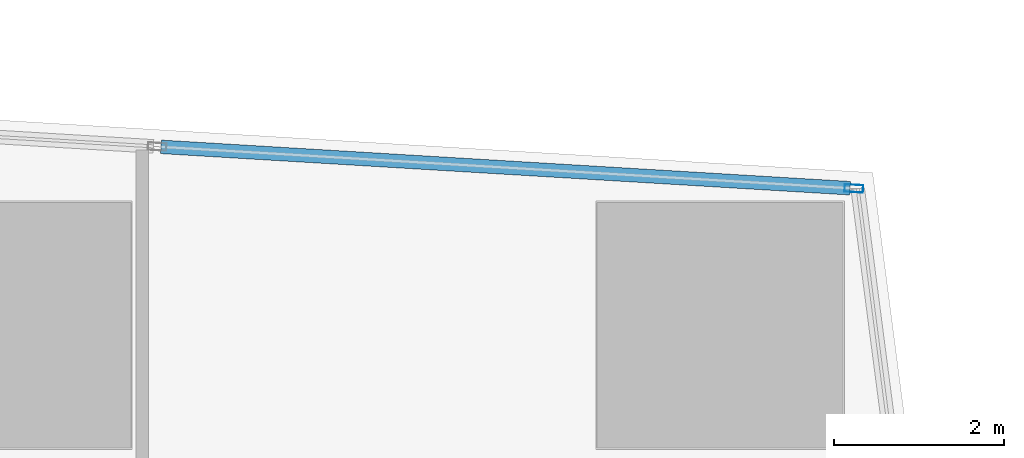
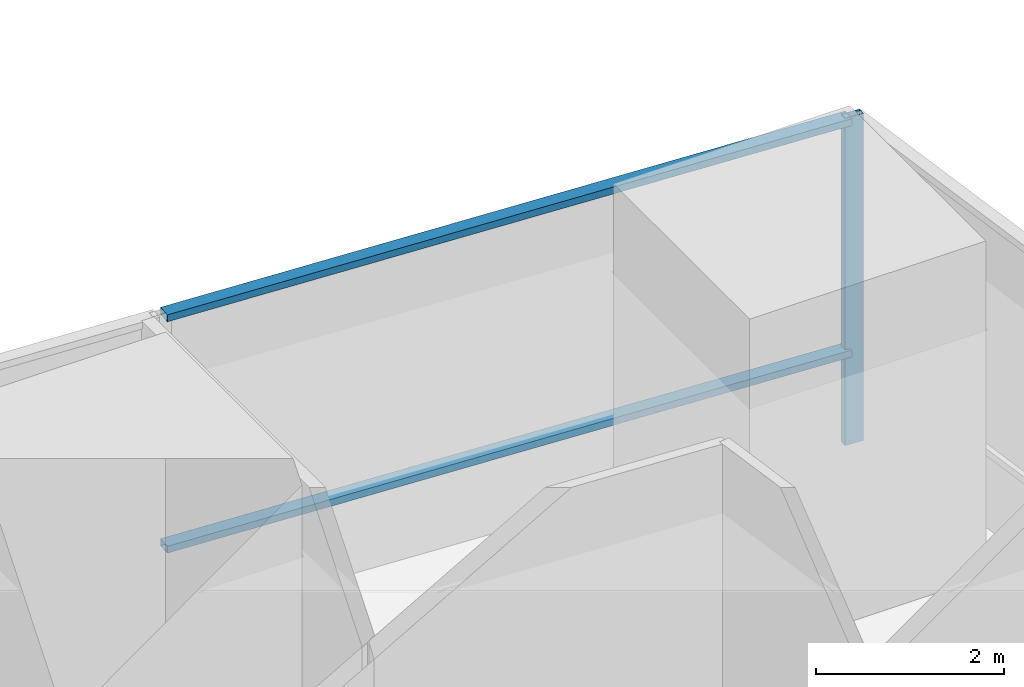
# One storey, part 13 of 44: 3 members, 1 element without a shape of its own.
"""IFC4 building model written with IfcOpenShell, lengths in metres."""

from ifc_helpers import new_model, si_unit, direction, frame, origin, origin_2d, place, context, subcontext, project, spatial, hollow_rectangle, extrude, material, material_profile, profile_set, type_object, element, aggregate, save


model = new_model("IFC4")

# Units and contexts
model_context = context("Model", 3, precision=1e-05, world=origin(), true_north=direction((0.0, 1.0)))
body_context = subcontext(model_context, "Body", "Model", "MODEL_VIEW")
ifc_project = project(units=[si_unit("LENGTHUNIT", "METRE"), si_unit("AREAUNIT", "SQUARE_METRE"), si_unit("VOLUMEUNIT", "CUBIC_METRE"), si_unit("PLANEANGLEUNIT", "RADIAN"), si_unit("MASSUNIT", "GRAM", prefix="KILO")], contexts=[model_context])

# Site, building, storey
site_placement = place(None, origin())
site = spatial("IfcSite", under=ifc_project, at=site_placement, CompositionType="ELEMENT")
building_placement = place(site_placement, origin())
building = spatial("IfcBuilding", under=site, at=building_placement, Name="Rekha Terrace Tower", CompositionType="ELEMENT")
storey_placement = place(building_placement, frame((0.0, 0.0, 90.800048828125)))
storey = spatial("IfcBuildingStorey", under=building, at=storey_placement, Name="L22", CompositionType="ELEMENT", Elevation=90.800048828125)

# Curtain wall, members
ifc_material_1 = material(Name="Aluminium framing", Category="aluminium")
curtain_wall_type = type_object("IfcCurtainWallType", Name="CW5 sky garden glazing", PredefinedType="USERDEFINED", material=ifc_material_1)
curtain_wall_placement = place(storey_placement, origin())
curtain_wall = element("IfcCurtainWall", 1, at=curtain_wall_placement, inside=storey, type_object=curtain_wall_type, Name="CW5 sky garden curtain wall", ObjectType="SKY GARDEN CURTAIN WALL", PredefinedType="USERDEFINED")
ifc_material_2 = material(Name="Aluminium mullion section", Category="aluminium")
ifc_material_profile_1 = material_profile(ifc_material_2, hollow_rectangle(XDim=0.090087890625, YDim=0.219970703125, WallThickness=0.00390625, at=origin_2d()), Name="AL RHS 90x220")
ifc_profile_set_1 = profile_set([ifc_material_profile_1], Name="Aluminium mullion section")
member_type_1 = type_object("IfcMemberType", Name="CW5 mullion RHS 90 x 220", PredefinedType="MULLION", material=ifc_profile_set_1)
member_1_placement = place(storey_placement, frame((68.778076171875, 60.4130859375, 0.0), z_axis=(0.0, 0.0, 1.0), x_axis=(-0.059987926837, -0.998199102701, 0.0)))
member_1 = element("IfcMember", 2, at=member_1_placement, type_object=member_type_1, Name="CW5 mullion 1", PredefinedType="MULLION", context=body_context, shape_type="SweptSolid", body=[
    extrude(hollow_rectangle(XDim=0.090087890625, YDim=0.219970703125, WallThickness=0.00390625, at=origin_2d()), origin(), (0.0, 0.0, 1.0), 4.25),
])
ifc_material_3 = material(Name="Aluminium transom section", Category="aluminium")
ifc_material_profile_2 = material_profile(ifc_material_3, hollow_rectangle(XDim=0.159912109375, YDim=0.090087890625, WallThickness=0.0029296875, at=origin_2d()), Name="AL RHS 160x90")
ifc_profile_set_2 = profile_set([ifc_material_profile_2], Name="Aluminium transom section")
member_type_2 = type_object("IfcMemberType", Name="CW5 transom RHS 90 x 160", PredefinedType="USERDEFINED", material=ifc_profile_set_2)
member_2_placement = place(storey_placement, frame((68.733154296875, 60.415771484375, 1.199951171875), z_axis=(-0.998199965869, 0.059973561996, 0.0), x_axis=(-0.059973561996, -0.998199965869, 0.0)))
member_2 = element("IfcMember", 3, at=member_2_placement, type_object=member_type_2, Name="CW5 transom 1.2", ObjectType="TRANSOM", PredefinedType="USERDEFINED", context=body_context, shape_type="SweptSolid", body=[
    extrude(hollow_rectangle(XDim=0.159912109375, YDim=0.090087890625, WallThickness=0.0029296875, at=origin_2d()), origin(), (0.0, 0.0, 1.0), 8.1416015625),
])
member_3_placement = place(storey_placement, frame((68.733154296875, 60.415771484375, 4.204833984375), z_axis=(-0.998199965869, 0.059973561996, 0.0), x_axis=(-0.059973561996, -0.998199965869, 0.0)))
member_3 = element("IfcMember", 4, at=member_3_placement, type_object=member_type_2, Name="CW5 transom 1.3", ObjectType="TRANSOM", PredefinedType="USERDEFINED", context=body_context, shape_type="SweptSolid", body=[
    extrude(hollow_rectangle(XDim=0.159912109375, YDim=0.090087890625, WallThickness=0.0029296875, at=origin_2d()), origin(), (0.0, 0.0, 1.0), 8.1416015625),
])
aggregate(curtain_wall, [member_1, member_2, member_3])

save(model, "model.ifc")
